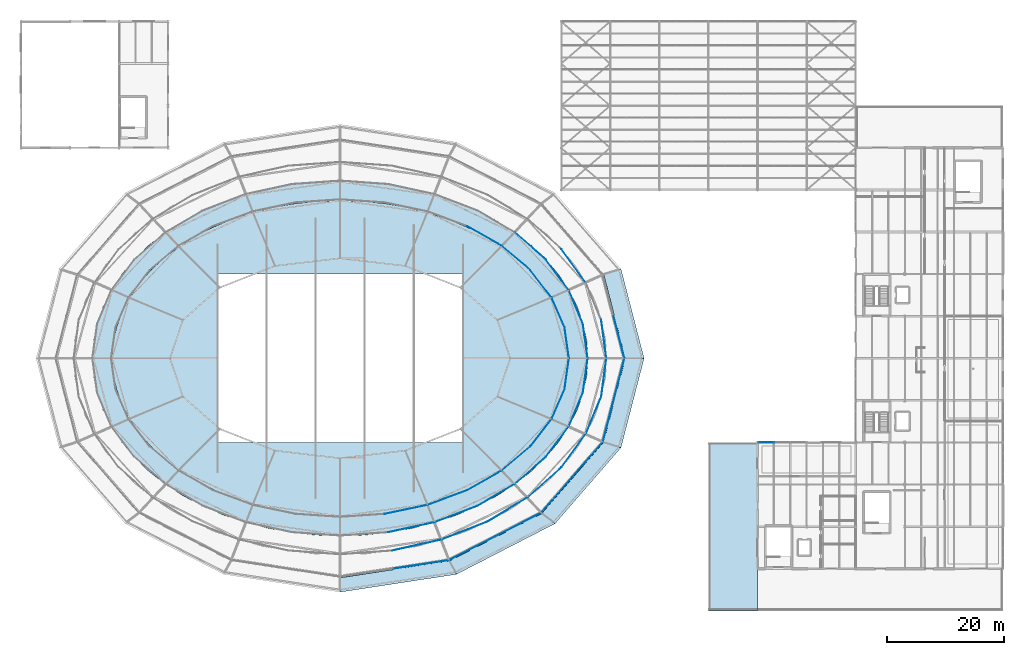
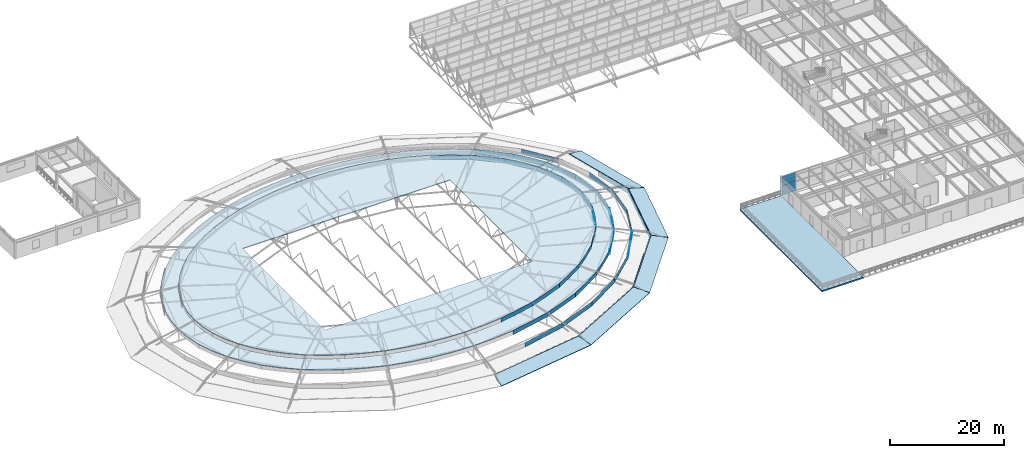
# One storey, part 104 of 134: 42 plates, 8 slabs, 1 element without a shape of its own.
"""IFC4 building model written with IfcOpenShell, lengths in metres."""

from ifc_helpers import new_model, si_unit, derived_unit, direction, frame, origin, origin_2d, place, context, subcontext, project, spatial, polyline, rectangle, outline, extrude, material, layer, layer_set, type_object, element, aggregate, save


model = new_model("IFC4")

# Units and contexts
model_context = context("Model", 3, precision=1e-05, world=origin(), true_north=direction((0.0, 1.0)))
body_context = subcontext(model_context, "Body", "Model", "MODEL_VIEW")
ifc_project = project(units=[si_unit("LENGTHUNIT", "METRE"), si_unit("AREAUNIT", "SQUARE_METRE"), si_unit("VOLUMEUNIT", "CUBIC_METRE"), si_unit("PLANEANGLEUNIT", "RADIAN"), si_unit("MASSUNIT", "GRAM", prefix="KILO"), derived_unit("THERMALTRANSMITTANCEUNIT", [(si_unit("MASSUNIT", "GRAM", prefix="KILO"), 1), (si_unit("TIMEUNIT", "SECOND"), -3), (si_unit("THERMODYNAMICTEMPERATUREUNIT", "KELVIN"), -1)])], contexts=[model_context])

# Site, building, storey
site_placement = place(None, origin())
site = spatial("IfcSite", under=ifc_project, at=site_placement, CompositionType="ELEMENT")
building_placement = place(site_placement, origin())
building = spatial("IfcBuilding", under=site, at=building_placement, Name="Kharveza Railside Sports Centre", CompositionType="ELEMENT")
storey_placement = place(building_placement, frame((0.0, 0.0, 12.89990234375)))
storey = spatial("IfcBuildingStorey", under=building, at=storey_placement, Name="L03", CompositionType="ELEMENT", Elevation=12.89990234375)

# Plates
ifc_material_1 = material(Name="Patinated architectural bronze CuSn6")
ifc_layer_1 = layer(ifc_material_1, 0.02490234375, Name="Patinated architectural bronze CuSn6")
ifc_layer_set_1 = layer_set([ifc_layer_1], Name="Patinated architectural bronze CuSn6")
plate_type_1 = type_object("IfcPlateType", Name="PL-BZ01", PredefinedType="SHEET", material=ifc_layer_set_1)
plate_1_placement = place(storey_placement, frame((102.330078125, 53.954833984375, -0.27978515625), z_axis=(0.0, 0.0, 1.0), x_axis=(-0.250346209174, 0.968156379699, 0.0)))
element("IfcPlate", 1, at=plate_1_placement, inside=storey, type_object=plate_type_1, Name="PLT-BZ-S1-01", PredefinedType="SHEET", context=body_context, shape_type="SweptSolid", body=[
    extrude(rectangle(XDim=7.4189453125, YDim=0.02490234375, at=origin_2d()), origin(), (0.0, 0.0, 1.0), 0.97998046875),
])
plate_2_placement = place(storey_placement, frame((68.583984375, 15.14892578125, -0.27978515625), z_axis=(0.0, 0.0, 1.0), x_axis=(0.988496526657, 0.151243567751, 0.0)))
element("IfcPlate", 2, at=plate_2_placement, inside=storey, type_object=plate_type_1, Name="PLT-BZ-S1-26", PredefinedType="SHEET", context=body_context, shape_type="SweptSolid", body=[
    extrude(rectangle(XDim=9.446044921875, YDim=0.02490234375, at=origin_2d()), origin(), (0.0, 0.0, 1.0), 0.97998046875),
])
for number, where, z_axis, x_axis, name in (
    (3, (77.166259765625, 17.88330078125, -0.27978515625), (0.0, 0.0, 1.0), (0.889400417022, 0.457128973268, 0.0), "PLT-BZ-S1-27"),
    (4, (85.08203125, 21.951904296875, -0.27978515625), (0.0, 0.0, 1.0), (0.889400417022, 0.457128973268, 0.0), "PLT-BZ-S1-28"),
):
    element("IfcPlate", number, at=place(storey_placement, frame(where, z_axis=z_axis, x_axis=x_axis)), inside=storey, type_object=plate_type_1, Name=name, PredefinedType="SHEET", context=body_context, shape_type="SweptSolid", body=[
        extrude(rectangle(XDim=8.900390625, YDim=0.02490234375, at=origin_2d()), origin(), (0.0, 0.0, 1.0), 0.97998046875),
    ])
for number, where, z_axis, x_axis, name in (
    (5, (91.64111328125, 26.99658203125, -0.27978515625), (0.0, 0.0, 1.0), (0.655782369422, 0.754949987718, 0.0), "PLT-BZ-S1-29"),
    (6, (96.930419921875, 33.085693359375, -0.27978515625), (0.0, 0.0, 1.0), (0.655782369422, 0.754949987718, 0.0), "PLT-BZ-S1-30"),
):
    element("IfcPlate", number, at=place(storey_placement, frame(where, z_axis=z_axis, x_axis=x_axis)), inside=storey, type_object=plate_type_1, Name=name, PredefinedType="SHEET", context=body_context, shape_type="SweptSolid", body=[
        extrude(rectangle(XDim=8.065673828125, YDim=0.02490234375, at=origin_2d()), origin(), (0.0, 0.0, 1.0), 0.97998046875),
    ])
for number, where, z_axis, x_axis, name in (
    (7, (100.47265625, 39.66259765625, -0.27978515625), (0.0, 0.0, 1.0), (0.250346209174, 0.968156379699, 0.0), "PLT-BZ-S1-31"),
    (8, (102.330078125, 46.84521484375, -0.27978515625), (0.0, 0.0, 1.0), (0.250346209174, 0.968156379699, 0.0), "PLT-BZ-S1-32"),
):
    element("IfcPlate", number, at=place(storey_placement, frame(where, z_axis=z_axis, x_axis=x_axis)), inside=storey, type_object=plate_type_1, Name=name, PredefinedType="SHEET", context=body_context, shape_type="SweptSolid", body=[
        extrude(rectangle(XDim=7.4189453125, YDim=0.02490234375, at=origin_2d()), origin(), (0.0, 0.0, 1.0), 0.97998046875),
    ])
ifc_layer_2 = layer(ifc_material_1, 0.02490234375, Name="Patinated architectural bronze CuSn6")
ifc_layer_set_2 = layer_set([ifc_layer_2], Name="Patinated architectural bronze CuSn6")
plate_type_2 = type_object("IfcPlateType", Name="PL-BZ02", PredefinedType="SHEET", material=ifc_layer_set_2)
plate_3_placement = place(storey_placement, frame((99.71240234375, 53.672607421875, 0.670166015625), z_axis=(0.0, 0.0, 1.0), x_axis=(-0.132533184693, 0.991178568652, 0.0)))
element("IfcPlate", 9, at=plate_3_placement, inside=storey, type_object=plate_type_2, Name="PLT-BZ-S2-01", PredefinedType="SHEET", context=body_context, shape_type="SweptSolid", body=[
    extrude(rectangle(XDim=6.603515625, YDim=0.02490234375, at=origin_2d()), origin(), (0.0, 0.0, 1.0), 0.97998046875),
])
plate_4_placement = place(storey_placement, frame((94.578125, 66.13916015625, 0.670166015625), z_axis=(0.0, 0.0, 1.0), x_axis=(-0.587333320314, 0.809345149395, 0.0)))
element("IfcPlate", 10, at=plate_4_placement, inside=storey, type_object=plate_type_2, Name="PLT-BZ-S2-03", PredefinedType="SHEET", context=body_context, shape_type="SweptSolid", body=[
    extrude(rectangle(XDim=7.166748046875, YDim=0.02490234375, at=origin_2d()), origin(), (0.0, 0.0, 1.0), 0.97998046875),
])
plate_5_placement = place(storey_placement, frame((67.7587890625, 18.44921875, 0.670166015625), z_axis=(0.0, 0.0, 1.0), x_axis=(0.975935794812, 0.218058075762, 0.0)))
element("IfcPlate", 11, at=plate_5_placement, inside=storey, type_object=plate_type_2, Name="PLT-BZ-S2-26", PredefinedType="SHEET", context=body_context, shape_type="SweptSolid", body=[
    extrude(rectangle(XDim=8.755615234375, YDim=0.02490234375, at=origin_2d()), origin(), (0.0, 0.0, 1.0), 0.97998046875),
])
plate_6_placement = place(storey_placement, frame((75.96875, 20.9541015625, 0.670166015625), z_axis=(0.0, 0.0, 1.0), x_axis=(0.930487914019, 0.366322592621, 0.0)))
element("IfcPlate", 12, at=plate_6_placement, inside=storey, type_object=plate_type_2, Name="PLT-BZ-S2-27", PredefinedType="SHEET", context=body_context, shape_type="SweptSolid", body=[
    extrude(rectangle(XDim=8.46337890625, YDim=0.02490234375, at=origin_2d()), origin(), (0.0, 0.0, 1.0), 0.97998046875),
])
plate_7_placement = place(storey_placement, frame((83.357421875, 24.59033203125, 0.670166015625), z_axis=(0.0, 0.0, 1.0), x_axis=(0.855797941238, 0.517310239384, 0.0)))
element("IfcPlate", 13, at=plate_7_placement, inside=storey, type_object=plate_type_2, Name="PLT-BZ-S2-28", PredefinedType="SHEET", context=body_context, shape_type="SweptSolid", body=[
    extrude(rectangle(XDim=8.0654296875, YDim=0.02490234375, at=origin_2d()), origin(), (0.0, 0.0, 1.0), 0.97998046875),
])
plate_8_placement = place(storey_placement, frame((89.64111328125, 29.218505859375, 0.670166015625), z_axis=(0.0, 0.0, 1.0), x_axis=(0.744218291961, 0.667936474458, 0.0)))
element("IfcPlate", 14, at=plate_8_placement, inside=storey, type_object=plate_type_2, Name="PLT-BZ-S2-29", PredefinedType="SHEET", context=body_context, shape_type="SweptSolid", body=[
    extrude(rectangle(XDim=7.611572265625, YDim=0.02490234375, at=origin_2d()), origin(), (0.0, 0.0, 1.0), 0.97998046875),
])
plate_9_placement = place(storey_placement, frame((94.578125, 34.660888671875, 0.670166015625), z_axis=(0.0, 0.0, 1.0), x_axis=(0.587333320314, 0.809345149395, 0.0)))
element("IfcPlate", 15, at=plate_9_placement, inside=storey, type_object=plate_type_2, Name="PLT-BZ-S2-30", PredefinedType="SHEET", context=body_context, shape_type="SweptSolid", body=[
    extrude(rectangle(XDim=7.166748046875, YDim=0.02490234375, at=origin_2d()), origin(), (0.0, 0.0, 1.0), 0.97998046875),
])
plate_10_placement = place(storey_placement, frame((97.978759765625, 40.707763671875, 0.670166015625), z_axis=(0.0, 0.0, 1.0), x_axis=(0.380812179537, 0.924652412486, 0.0)))
element("IfcPlate", 16, at=plate_10_placement, inside=storey, type_object=plate_type_2, Name="PLT-BZ-S2-31", PredefinedType="SHEET", context=body_context, shape_type="SweptSolid", body=[
    extrude(rectangle(XDim=6.806640625, YDim=0.02490234375, at=origin_2d()), origin(), (0.0, 0.0, 1.0), 0.97998046875),
])
plate_11_placement = place(storey_placement, frame((99.71240234375, 47.12744140625, 0.670166015625), z_axis=(0.0, 0.0, 1.0), x_axis=(0.132533184693, 0.991178568652, 0.0)))
element("IfcPlate", 17, at=plate_11_placement, inside=storey, type_object=plate_type_2, Name="PLT-BZ-S2-32", PredefinedType="SHEET", context=body_context, shape_type="SweptSolid", body=[
    extrude(rectangle(XDim=6.603515625, YDim=0.02490234375, at=origin_2d()), origin(), (0.0, 0.0, 1.0), 0.97998046875),
])
ifc_layer_3 = layer(ifc_material_1, 0.02490234375, Name="Patinated architectural bronze CuSn6")
ifc_layer_set_3 = layer_set([ifc_layer_3], Name="Patinated architectural bronze CuSn6")
plate_type_3 = type_object("IfcPlateType", Name="PL-BZ03", PredefinedType="SHEET", material=ifc_layer_set_3)
plate_12_placement = place(storey_placement, frame((96.543212890625, 53.360595703125, 1.6201171875), z_axis=(0.0, 0.0, 1.0), x_axis=(-0.136147854798, 0.990688529071, 0.0)))
element("IfcPlate", 18, at=plate_12_placement, inside=storey, type_object=plate_type_3, Name="PLT-BZ-S3-01", PredefinedType="SHEET", context=body_context, shape_type="SweptSolid", body=[
    extrude(rectangle(XDim=5.9765625, YDim=0.02490234375, at=origin_2d()), origin(), (0.0, 0.0, 1.0), 0.97998046875),
])
plate_13_placement = place(storey_placement, frame((94.931396484375, 59.167724609375, 1.6201171875), z_axis=(0.0, 0.0, 1.0), x_axis=(-0.389799109703, 0.920899915341, 0.0)))
element("IfcPlate", 19, at=plate_13_placement, inside=storey, type_object=plate_type_3, Name="PLT-BZ-S3-02", PredefinedType="SHEET", context=body_context, shape_type="SweptSolid", body=[
    extrude(rectangle(XDim=6.1826171875, YDim=0.02490234375, at=origin_2d()), origin(), (0.0, 0.0, 1.0), 0.97998046875),
])
plate_14_placement = place(storey_placement, frame((91.76953125, 64.637939453125, 1.6201171875), z_axis=(0.0, 0.0, 1.0), x_axis=(-0.597863012289, 0.801598290004, 0.0)))
element("IfcPlate", 20, at=plate_14_placement, inside=storey, type_object=plate_type_3, Name="PLT-BZ-S3-03", PredefinedType="SHEET", context=body_context, shape_type="SweptSolid", body=[
    extrude(rectangle(XDim=6.5458984375, YDim=0.02490234375, at=origin_2d()), origin(), (0.0, 0.0, 1.0), 0.97998046875),
])
plate_15_placement = place(storey_placement, frame((87.179443359375, 69.56103515625, 1.6201171875), z_axis=(0.0, 0.0, 1.0), x_axis=(-0.753230568279, 0.657756574281, 0.0)))
element("IfcPlate", 21, at=plate_15_placement, inside=storey, type_object=plate_type_3, Name="PLT-BZ-S3-04", PredefinedType="SHEET", context=body_context, shape_type="SweptSolid", body=[
    extrude(rectangle(XDim=6.9921875, YDim=0.02490234375, at=origin_2d()), origin(), (0.0, 0.0, 1.0), 0.97998046875),
])
plate_16_placement = place(storey_placement, frame((66.83447265625, 21.49658203125, 1.6201171875), z_axis=(0.0, 0.0, 1.0), x_axis=(0.977175524989, 0.212433503388, 0.0)))
element("IfcPlate", 22, at=plate_16_placement, inside=storey, type_object=plate_type_3, Name="PLT-BZ-S3-26", PredefinedType="SHEET", context=body_context, shape_type="SweptSolid", body=[
    extrude(rectangle(XDim=8.130126953125, YDim=0.02490234375, at=origin_2d()), origin(), (0.0, 0.0, 1.0), 0.97998046875),
])
plate_17_placement = place(storey_placement, frame((74.467529296875, 23.7626953125, 1.6201171875), z_axis=(0.0, 0.0, 1.0), x_axis=(0.933830386995, 0.357716100175, 0.0)))
element("IfcPlate", 23, at=plate_17_placement, inside=storey, type_object=plate_type_3, Name="PLT-BZ-S3-27", PredefinedType="SHEET", context=body_context, shape_type="SweptSolid", body=[
    extrude(rectangle(XDim=7.840576171875, YDim=0.02490234375, at=origin_2d()), origin(), (0.0, 0.0, 1.0), 0.97998046875),
])
plate_18_placement = place(storey_placement, frame((81.337158203125, 27.052001953125, 1.6201171875), z_axis=(0.0, 0.0, 1.0), x_axis=(0.861974431214, 0.506951753063, 0.0)))
element("IfcPlate", 24, at=plate_18_placement, inside=storey, type_object=plate_type_3, Name="PLT-BZ-S3-28", PredefinedType="SHEET", context=body_context, shape_type="SweptSolid", body=[
    extrude(rectangle(XDim=7.4453125, YDim=0.02490234375, at=origin_2d()), origin(), (0.0, 0.0, 1.0), 0.97998046875),
])
plate_19_placement = place(storey_placement, frame((87.179443359375, 31.239013671875, 1.6201171875), z_axis=(0.0, 0.0, 1.0), x_axis=(0.753230568279, 0.657756574281, 0.0)))
element("IfcPlate", 25, at=plate_19_placement, inside=storey, type_object=plate_type_3, Name="PLT-BZ-S3-29", PredefinedType="SHEET", context=body_context, shape_type="SweptSolid", body=[
    extrude(rectangle(XDim=6.9921875, YDim=0.02490234375, at=origin_2d()), origin(), (0.0, 0.0, 1.0), 0.97998046875),
])
plate_20_placement = place(storey_placement, frame((91.76953125, 36.162109375, 1.6201171875), z_axis=(0.0, 0.0, 1.0), x_axis=(0.597863012289, 0.801598290004, 0.0)))
element("IfcPlate", 26, at=plate_20_placement, inside=storey, type_object=plate_type_3, Name="PLT-BZ-S3-30", PredefinedType="SHEET", context=body_context, shape_type="SweptSolid", body=[
    extrude(rectangle(XDim=6.5458984375, YDim=0.02490234375, at=origin_2d()), origin(), (0.0, 0.0, 1.0), 0.97998046875),
])
plate_21_placement = place(storey_placement, frame((94.931396484375, 41.63232421875, 1.6201171875), z_axis=(0.0, 0.0, 1.0), x_axis=(0.389799109703, 0.920899915341, 0.0)))
element("IfcPlate", 27, at=plate_21_placement, inside=storey, type_object=plate_type_3, Name="PLT-BZ-S3-31", PredefinedType="SHEET", context=body_context, shape_type="SweptSolid", body=[
    extrude(rectangle(XDim=6.1826171875, YDim=0.02490234375, at=origin_2d()), origin(), (0.0, 0.0, 1.0), 0.97998046875),
])
plate_22_placement = place(storey_placement, frame((96.543212890625, 47.439453125, 1.6201171875), z_axis=(0.0, 0.0, 1.0), x_axis=(0.136147854798, 0.990688529071, 0.0)))
element("IfcPlate", 28, at=plate_22_placement, inside=storey, type_object=plate_type_3, Name="PLT-BZ-S3-32", PredefinedType="SHEET", context=body_context, shape_type="SweptSolid", body=[
    extrude(rectangle(XDim=5.9765625, YDim=0.02490234375, at=origin_2d()), origin(), (0.0, 0.0, 1.0), 0.97998046875),
])
ifc_layer_4 = layer(ifc_material_1, 0.02490234375, Name="Patinated architectural bronze CuSn6")
ifc_layer_set_4 = layer_set([ifc_layer_4], Name="Patinated architectural bronze CuSn6")
plate_type_4 = type_object("IfcPlateType", Name="PL-BZ04", PredefinedType="SHEET", material=ifc_layer_set_4)
plate_23_placement = place(storey_placement, frame((93.373779296875, 53.04833984375, 2.570068359375), z_axis=(0.0, 0.0, 1.0), x_axis=(-0.140607479807, 0.990065420375, 0.0)))
element("IfcPlate", 29, at=plate_23_placement, inside=storey, type_object=plate_type_4, Name="PLT-BZ-S4-01", PredefinedType="SHEET", context=body_context, shape_type="SweptSolid", body=[
    extrude(rectangle(XDim=5.349853515625, YDim=0.02490234375, at=origin_2d()), origin(), (0.0, 0.0, 1.0), 0.97998046875),
])
plate_24_placement = place(storey_placement, frame((91.8837890625, 58.243408203125, 2.570068359375), z_axis=(0.0, 0.0, 1.0), x_axis=(-0.400764823539, 0.916180962591, 0.0)))
element("IfcPlate", 30, at=plate_24_placement, inside=storey, type_object=plate_type_4, Name="PLT-BZ-S4-02", PredefinedType="SHEET", context=body_context, shape_type="SweptSolid", body=[
    extrude(rectangle(XDim=5.55908203125, YDim=0.02490234375, at=origin_2d()), origin(), (0.0, 0.0, 1.0), 0.97998046875),
])
plate_25_placement = place(storey_placement, frame((88.9609375, 63.13671875, 2.570068359375), z_axis=(0.0, 0.0, 1.0), x_axis=(-0.610476983873, 0.792033996847, 0.0)))
element("IfcPlate", 31, at=plate_25_placement, inside=storey, type_object=plate_type_4, Name="PLT-BZ-S4-03", PredefinedType="SHEET", context=body_context, shape_type="SweptSolid", body=[
    extrude(rectangle(XDim=5.92626953125, YDim=0.02490234375, at=origin_2d()), origin(), (0.0, 0.0, 1.0), 0.97998046875),
])
plate_26_placement = place(storey_placement, frame((84.717529296875, 67.540771484375, 2.570068359375), z_axis=(0.0, 0.0, 1.0), x_axis=(-0.763818558893, 0.64543102582, 0.0)))
element("IfcPlate", 32, at=plate_26_placement, inside=storey, type_object=plate_type_4, Name="PLT-BZ-S4-04", PredefinedType="SHEET", context=body_context, shape_type="SweptSolid", body=[
    extrude(rectangle(XDim=6.374267578125, YDim=0.02490234375, at=origin_2d()), origin(), (0.0, 0.0, 1.0), 0.97998046875),
])
plate_27_placement = place(storey_placement, frame((79.31689453125, 71.2861328125, 2.570068359375), z_axis=(0.0, 0.0, 1.0), x_axis=(-0.869106720336, 0.494624613891, 0.0)))
element("IfcPlate", 33, at=plate_27_placement, inside=storey, type_object=plate_type_4, Name="PLT-BZ-S4-05", PredefinedType="SHEET", context=body_context, shape_type="SweptSolid", body=[
    extrude(rectangle(XDim=6.826171875, YDim=0.02490234375, at=origin_2d()), origin(), (0.0, 0.0, 1.0), 0.97998046875),
])
plate_28_placement = place(storey_placement, frame((65.909912109375, 24.544189453125, 2.570068359375), z_axis=(0.0, 0.0, 1.0), x_axis=(0.978580904325, 0.20586260877, 0.0)))
element("IfcPlate", 34, at=plate_28_placement, inside=storey, type_object=plate_type_4, Name="PLT-BZ-S4-26", PredefinedType="SHEET", context=body_context, shape_type="SweptSolid", body=[
    extrude(rectangle(XDim=7.5048828125, YDim=0.02490234375, at=origin_2d()), origin(), (0.0, 0.0, 1.0), 0.97998046875),
])
plate_29_placement = place(storey_placement, frame((72.96630859375, 26.571044921875, 2.570068359375), z_axis=(0.0, 0.0, 1.0), x_axis=(0.93765256575, 0.347573971899, 0.0)))
element("IfcPlate", 35, at=plate_29_placement, inside=storey, type_object=plate_type_4, Name="PLT-BZ-S4-27", PredefinedType="SHEET", context=body_context, shape_type="SweptSolid", body=[
    extrude(rectangle(XDim=7.218505859375, YDim=0.02490234375, at=origin_2d()), origin(), (0.0, 0.0, 1.0), 0.97998046875),
])
plate_30_placement = place(storey_placement, frame((79.31689453125, 29.513916015625, 2.570068359375), z_axis=(0.0, 0.0, 1.0), x_axis=(0.869106720336, 0.494624613891, 0.0)))
element("IfcPlate", 36, at=plate_30_placement, inside=storey, type_object=plate_type_4, Name="PLT-BZ-S4-28", PredefinedType="SHEET", context=body_context, shape_type="SweptSolid", body=[
    extrude(rectangle(XDim=6.826171875, YDim=0.02490234375, at=origin_2d()), origin(), (0.0, 0.0, 1.0), 0.97998046875),
])
plate_31_placement = place(storey_placement, frame((84.717529296875, 33.25927734375, 2.570068359375), z_axis=(0.0, 0.0, 1.0), x_axis=(0.763818558893, 0.64543102582, 0.0)))
element("IfcPlate", 37, at=plate_31_placement, inside=storey, type_object=plate_type_4, Name="PLT-BZ-S4-29", PredefinedType="SHEET", context=body_context, shape_type="SweptSolid", body=[
    extrude(rectangle(XDim=6.374267578125, YDim=0.02490234375, at=origin_2d()), origin(), (0.0, 0.0, 1.0), 0.97998046875),
])
plate_32_placement = place(storey_placement, frame((88.9609375, 37.6630859375, 2.570068359375), z_axis=(0.0, 0.0, 1.0), x_axis=(0.610476983873, 0.792033996847, 0.0)))
element("IfcPlate", 38, at=plate_32_placement, inside=storey, type_object=plate_type_4, Name="PLT-BZ-S4-30", PredefinedType="SHEET", context=body_context, shape_type="SweptSolid", body=[
    extrude(rectangle(XDim=5.92626953125, YDim=0.02490234375, at=origin_2d()), origin(), (0.0, 0.0, 1.0), 0.97998046875),
])
plate_33_placement = place(storey_placement, frame((91.8837890625, 42.556640625, 2.570068359375), z_axis=(0.0, 0.0, 1.0), x_axis=(0.400764823539, 0.916180962591, 0.0)))
element("IfcPlate", 39, at=plate_33_placement, inside=storey, type_object=plate_type_4, Name="PLT-BZ-S4-31", PredefinedType="SHEET", context=body_context, shape_type="SweptSolid", body=[
    extrude(rectangle(XDim=5.55908203125, YDim=0.02490234375, at=origin_2d()), origin(), (0.0, 0.0, 1.0), 0.97998046875),
])
plate_34_placement = place(storey_placement, frame((93.373779296875, 47.751708984375, 2.570068359375), z_axis=(0.0, 0.0, 1.0), x_axis=(0.140607479807, 0.990065420375, 0.0)))
element("IfcPlate", 40, at=plate_34_placement, inside=storey, type_object=plate_type_4, Name="PLT-BZ-S4-32", PredefinedType="SHEET", context=body_context, shape_type="SweptSolid", body=[
    extrude(rectangle(XDim=5.349853515625, YDim=0.02490234375, at=origin_2d()), origin(), (0.0, 0.0, 1.0), 0.97998046875),
])

# Curtain wall, plates
ifc_material_2 = material(Name="Low-E solar-control laminated glass", Category="glass")
curtain_wall_type = type_object("IfcCurtainWallType", Name="CW-WG01", PredefinedType="NOTDEFINED", material=ifc_material_2)
curtain_wall_placement = place(storey_placement, origin())
curtain_wall = element("IfcCurtainWall", 41, at=curtain_wall_placement, inside=storey, type_object=curtain_wall_type, Name="CW-WG-L03-CW-WG01-X1302-Y360", PredefinedType="NOTDEFINED")
ifc_layer_5 = layer(ifc_material_2, 0.035888671875, Name="Low-E solar-control laminated glass")
ifc_layer_set_5 = layer_set([ifc_layer_5], Name="Low-E solar-control laminated glass")
plate_type_5 = type_object("IfcPlateType", Name="PL-CP08", PredefinedType="CURTAIN_PANEL", material=ifc_layer_set_5)
plate_35_placement = place(storey_placement, frame((127.47998046875, 36.0, 2.03759765625), z_axis=(0.0, 0.0, 1.0), x_axis=(-1.0, 0.0, 0.0)))
plate_35 = element("IfcPlate", 42, at=plate_35_placement, type_object=plate_type_5, Name="CW-WG-L03-CW-WG01-X1302-Y360-PN32", PredefinedType="CURTAIN_PANEL", context=body_context, shape_type="SweptSolid", body=[
    extrude(rectangle(XDim=2.679931640625, YDim=0.035888671875, at=origin_2d()), origin(), (0.0, 0.0, 1.0), 1.9775390625),
])
ifc_material_3 = material(Name="Anodised aluminium 6063-T6", Category="aluminium")
ifc_layer_6 = layer(ifc_material_3, 0.044921875, Name="Anodised aluminium 6063-T6")
ifc_layer_set_6 = layer_set([ifc_layer_6], Name="Anodised aluminium 6063-T6")
plate_type_6 = type_object("IfcPlateType", Name="PL-CP09", PredefinedType="CURTAIN_PANEL", material=ifc_layer_set_6)
plate_36_placement = place(storey_placement, frame((127.47998046875, 36.0, 0.02001953125), z_axis=(0.0, 0.0, 1.0), x_axis=(-1.0, 0.0, 0.0)))
plate_36 = element("IfcPlate", 43, at=plate_36_placement, type_object=plate_type_6, Name="CW-WG-L03-CW-WG01-X1302-Y360-PN31", PredefinedType="CURTAIN_PANEL", context=body_context, shape_type="SweptSolid", body=[
    extrude(rectangle(XDim=2.679931640625, YDim=0.044921875, at=origin_2d()), origin(), (0.0, 0.0, 1.0), 1.9775390625),
])
aggregate(curtain_wall, [plate_36, plate_35])

# Slabs
ifc_layer_7 = layer(ifc_material_1, 0.169921875, Name="Patinated architectural bronze CuSn6")
ifc_layer_set_7 = layer_set([ifc_layer_7], Name="Patinated architectural bronze CuSn6")
slab_type_1 = type_object("IfcSlabType", Name="SL-RF170", PredefinedType="ROOF", material=ifc_layer_set_7)
slab_1_placement = place(storey_placement, frame((106.60009765625, 50.39990234375, -0.25), z_axis=(0.283872130669, 0.073404091844, 0.956048352716), x_axis=(-0.250349888022, 0.968155428413, 8.2228e-07)))
element("IfcSlab", 44, at=slab_1_placement, inside=storey, type_object=slab_type_1, Name="Elliptical Bronze Lid Sloped Rim 01", PredefinedType="ROOF", context=body_context, shape_type="SweptSolid", body=[
    extrude(outline(polyline([(0.0, 0.0), (15.810864243311565, 0.0), (15.63913492237541, 3.2406313900390735), (0.8011693194607146, 3.2407173421040403), (0.0, 0.0)])), origin(), (0.0, 0.0, -1.0), 0.169921875),
])
slab_2_placement = place(storey_placement, frame((54.60009765625, 10.39990234375, -0.25), z_axis=(0.055017719109, -0.359563187425, 0.931497377792), x_axis=(0.988494809739, 0.151254788746, 9.92136e-07)))
element("IfcSlab", 45, at=slab_2_placement, inside=storey, type_object=slab_type_1, Name="Elliptical Bronze Lid Sloped Rim 13", PredefinedType="ROOF", context=body_context, shape_type="SweptSolid", body=[
    extrude(outline(polyline([(0.0, 0.0), (20.13102653257445, 0.0), (19.26448655525768, 2.6121823355286518), (0.3723403067180011, 2.612288772646403), (0.0, 0.0)])), origin(), (0.0, 0.0, -1.0), 0.169921875),
])
slab_3_placement = place(storey_placement, frame((74.49951171875, 13.44482421875, -0.25), z_axis=(0.157852855625, -0.307119025831, 0.938488348326), x_axis=(0.889398470999, 0.457132759473, 8.4529e-08)))
element("IfcSlab", 46, at=slab_3_placement, inside=storey, type_object=slab_type_1, Name="Elliptical Bronze Lid Sloped Rim 14", PredefinedType="ROOF", context=body_context, shape_type="SweptSolid", body=[
    extrude(outline(polyline([(0.0, 0.0), (18.968008161992657, 0.0), (17.750983099389945, 2.7517052096387076), (-0.049568053479256115, 2.7517142102455274), (0.0, 0.0)])), origin(), (0.0, 0.0, -1.0), 0.169921875),
])
slab_4_placement = place(storey_placement, frame((91.36962890625, 22.11572265625, -0.25), z_axis=(0.238800341443, -0.207429072658, 0.948655668166), x_axis=(0.655775407021, 0.754956035505, 4.63009e-07)))
element("IfcSlab", 47, at=slab_4_placement, inside=storey, type_object=slab_type_1, Name="Elliptical Bronze Lid Sloped Rim 15", PredefinedType="ROOF", context=body_context, shape_type="SweptSolid", body=[
    extrude(outline(polyline([(0.0, 0.0), (17.189145368366102, -1.7763568394002505e-15), (15.961406600784247, 3.003970752931343), (-0.16999484094971254, 3.0040195268571326), (0.0, 0.0)])), origin(), (0.0, 0.0, -1.0), 0.169921875),
])
slab_5_placement = place(storey_placement, frame((102.641845703125, 35.0927734375, -0.25), z_axis=(0.283871943019, -0.07340525124, 0.956048319415), x_axis=(0.250353640921, 0.968154457965, -7.87893e-07)))
element("IfcSlab", 48, at=slab_5_placement, inside=storey, type_object=slab_type_1, Name="Elliptical Bronze Lid Sloped Rim 16", PredefinedType="ROOF", context=body_context, shape_type="SweptSolid", body=[
    extrude(outline(polyline([(0.0, 0.0), (15.810627877374209, 4.440892098500626e-16), (15.009446580580665, 3.240714381049708), (0.17171734394549001, 3.2406320247104925), (0.0, 0.0)])), origin(), (0.0, 0.0, -1.0), 0.169921875),
])
slab_6_placement = place(storey_placement, frame((0.0, 0.0, 2.43017578125)))
element("IfcSlab", 49, at=slab_6_placement, inside=storey, type_object=slab_type_1, Name="Elliptical Bronze Lid Step 3", PredefinedType="ROOF", context=body_context, shape_type="SweptSolid", body=[
    extrude(outline(polyline([(96.7958984375, 47.420166015625), (96.185302734375, 44.46923828125), (95.17431640625, 41.575439453125), (93.7724609375, 38.766357421875), (91.993408203125, 36.069580078125), (89.854248046875, 33.5107421875), (87.375732421875, 31.114501953125), (84.581298828125, 28.904052734375), (81.498291015625, 26.900390625), (78.15625, 25.123291015625), (74.587158203125, 23.589599609375), (70.82568359375, 22.31396484375), (66.907958984375, 21.30908203125), (62.871826171875, 20.584228515625), (58.755859375, 20.146484375), (54.60009765625, 20.0), (50.444091796875, 20.146484375), (46.328125, 20.584228515625), (42.2919921875, 21.30908203125), (38.374267578125, 22.31396484375), (34.61279296875, 23.589599609375), (31.043701171875, 25.123291015625), (27.70166015625, 26.900390625), (24.61865234375, 28.904052734375), (21.824462890625, 31.114501953125), (19.345703125, 33.5107421875), (17.20654296875, 36.069580078125), (15.427490234375, 38.766357421875), (14.025634765625, 41.575439453125), (13.0146484375, 44.46923828125), (12.404052734375, 47.420166015625), (12.199951171875, 50.39990234375), (12.404052734375, 53.379638671875), (13.0146484375, 56.330810546875), (14.025634765625, 59.224609375), (15.427490234375, 62.03369140625), (17.20654296875, 64.73046875), (19.345703125, 67.289306640625), (21.824462890625, 69.685546875), (24.61865234375, 71.89599609375), (27.70166015625, 73.8994140625), (31.043701171875, 75.6767578125), (34.61279296875, 77.21044921875), (38.374267578125, 78.48583984375), (42.2919921875, 79.490966796875), (46.328125, 80.2158203125), (50.444091796875, 80.653564453125), (54.60009765625, 80.800048828125), (58.755859375, 80.653564453125), (62.871826171875, 80.2158203125), (66.907958984375, 79.490966796875), (70.82568359375, 78.48583984375), (74.587158203125, 77.21044921875), (78.15625, 75.6767578125), (81.498291015625, 73.8994140625), (84.581298828125, 71.89599609375), (87.375732421875, 69.685546875), (89.854248046875, 67.289306640625), (91.993408203125, 64.73046875), (93.7724609375, 62.03369140625), (95.17431640625, 59.224609375), (96.185302734375, 56.330810546875), (96.7958984375, 53.379638671875), (97.0, 50.39990234375), (96.7958984375, 47.420166015625)]), holes=[polyline([(93.412109375, 53.04638671875), (92.8505859375, 55.66748046875), (91.920654296875, 58.23779296875), (90.63134765625, 60.732421875), (88.994873046875, 63.127685546875), (87.02734375, 65.400390625), (84.747314453125, 67.528564453125), (82.17724609375, 69.491943359375), (79.34130859375, 71.271240234375), (76.267333984375, 72.849609375), (72.984375, 74.2119140625), (69.524658203125, 75.3447265625), (65.921142578125, 76.2373046875), (62.20849609375, 76.881103515625), (58.422607421875, 77.27001953125), (54.60009765625, 77.39990234375), (50.77734375, 77.27001953125), (46.991455078125, 76.881103515625), (43.27880859375, 76.2373046875), (39.67529296875, 75.3447265625), (36.215576171875, 74.2119140625), (32.932861328125, 72.849609375), (29.858642578125, 71.271240234375), (27.02294921875, 69.491943359375), (24.45263671875, 67.528564453125), (22.172607421875, 65.400390625), (20.205078125, 63.127685546875), (18.568603515625, 60.732421875), (17.279296875, 58.23779296875), (16.349365234375, 55.66748046875), (15.787841796875, 53.04638671875), (15.60009765625, 50.39990234375), (15.787841796875, 47.75341796875), (16.349365234375, 45.132568359375), (17.279296875, 42.562255859375), (18.568603515625, 40.067626953125), (20.205078125, 37.67236328125), (22.172607421875, 35.399658203125), (24.45263671875, 33.271484375), (27.02294921875, 31.30810546875), (29.858642578125, 29.52880859375), (32.932861328125, 27.950439453125), (36.215576171875, 26.588134765625), (39.67529296875, 25.455322265625), (43.27880859375, 24.5625), (46.991455078125, 23.918701171875), (50.77734375, 23.530029296875), (54.60009765625, 23.39990234375), (58.422607421875, 23.530029296875), (62.20849609375, 23.918701171875), (65.921142578125, 24.5625), (69.524658203125, 25.455322265625), (72.984375, 26.588134765625), (76.267333984375, 27.950439453125), (79.34130859375, 29.52880859375), (82.17724609375, 31.30810546875), (84.747314453125, 33.271484375), (87.02734375, 35.399658203125), (88.994873046875, 37.67236328125), (90.63134765625, 40.067626953125), (91.920654296875, 42.562255859375), (92.8505859375, 45.132568359375), (93.412109375, 47.75341796875), (93.60009765625, 50.39990234375), (93.412109375, 53.04638671875)])]), origin(), (0.0, 0.0, 1.0), 0.169921875),
])
slab_7_placement = place(storey_placement, frame((0.0, 0.0, 3.380126953125)))
element("IfcSlab", 50, at=slab_7_placement, inside=storey, type_object=slab_type_1, Name="Elliptical Bronze Lid Step 4", PredefinedType="ROOF", context=body_context, shape_type="SweptSolid", body=[
    extrude(outline(polyline([(93.611328125, 47.73388671875), (93.046875, 45.093505859375), (92.112060546875, 42.504150390625), (90.816162109375, 39.990966796875), (89.17138671875, 37.578125), (87.193603515625, 35.28857421875), (84.902099609375, 33.14453125), (82.318603515625, 31.166748046875), (79.46826171875, 29.3740234375), (76.37841796875, 27.783935546875), (73.078857421875, 26.41162109375), (69.60107421875, 25.2705078125), (65.979248046875, 24.371337890625), (62.24755859375, 23.72265625), (58.4423828125, 23.3310546875), (54.60009765625, 23.199951171875), (50.7578125, 23.3310546875), (46.952392578125, 23.72265625), (43.220947265625, 24.371337890625), (39.598876953125, 25.2705078125), (36.121337890625, 26.41162109375), (32.821533203125, 27.783935546875), (29.731689453125, 29.3740234375), (26.88134765625, 31.166748046875), (24.298095703125, 33.14453125), (22.00634765625, 35.28857421875), (20.02880859375, 37.578125), (18.384033203125, 39.990966796875), (17.087890625, 42.504150390625), (16.1533203125, 45.093505859375), (15.5888671875, 47.73388671875), (15.39990234375, 50.39990234375), (15.5888671875, 53.066162109375), (16.1533203125, 55.70654296875), (17.087890625, 58.295654296875), (18.384033203125, 60.80908203125), (20.02880859375, 63.221923828125), (22.00634765625, 65.511474609375), (24.298095703125, 67.655517578125), (26.88134765625, 69.63330078125), (29.731689453125, 71.42578125), (32.821533203125, 73.015869140625), (36.121337890625, 74.38818359375), (39.598876953125, 75.529541015625), (43.220947265625, 76.4287109375), (46.952392578125, 77.077392578125), (50.7578125, 77.468994140625), (54.60009765625, 77.60009765625), (58.4423828125, 77.468994140625), (62.24755859375, 77.077392578125), (65.979248046875, 76.4287109375), (69.60107421875, 75.529541015625), (73.078857421875, 74.38818359375), (76.37841796875, 73.015869140625), (79.46826171875, 71.42578125), (82.318603515625, 69.63330078125), (84.902099609375, 67.655517578125), (87.193603515625, 65.511474609375), (89.17138671875, 63.221923828125), (90.816162109375, 60.80908203125), (92.112060546875, 58.295654296875), (93.046875, 55.70654296875), (93.611328125, 53.066162109375), (93.800048828125, 50.39990234375), (93.611328125, 47.73388671875)]), holes=[polyline([(75.60009765625, 36.0), (75.60009765625, 64.800048828125), (33.60009765625, 64.800048828125), (33.60009765625, 36.0), (75.60009765625, 36.0)])]), origin(), (0.0, 0.0, 1.0), 0.169921875),
])
ifc_material_4 = material(Name="Concrete C35/45", Category="concrete")
ifc_layer_8 = layer(ifc_material_4, 0.280029296875, Name="Concrete C35/45")
ifc_layer_set_8 = layer_set([ifc_layer_8], Name="Concrete C35/45")
slab_type_2 = type_object("IfcSlabType", Name="SL-TR280", PredefinedType="FLOOR", material=ifc_layer_set_8)
slab_8_placement = place(storey_placement, frame((0.0, 0.0, -0.27978515625)))
element("IfcSlab", 51, at=slab_8_placement, inside=storey, type_object=slab_type_2, Name="Outdoor Terrace TERR-L03-SW", PredefinedType="FLOOR", context=body_context, shape_type="SweptSolid", body=[
    extrude(outline(polyline([(117.60107421875, 35.9990234375), (125.9990234375, 35.9990234375), (125.9990234375, 7.200927734375), (117.60107421875, 7.200927734375), (117.60107421875, 35.9990234375)])), origin(), (0.0, 0.0, 1.0), 0.27978515625),
])

save(model, "model.ifc")
